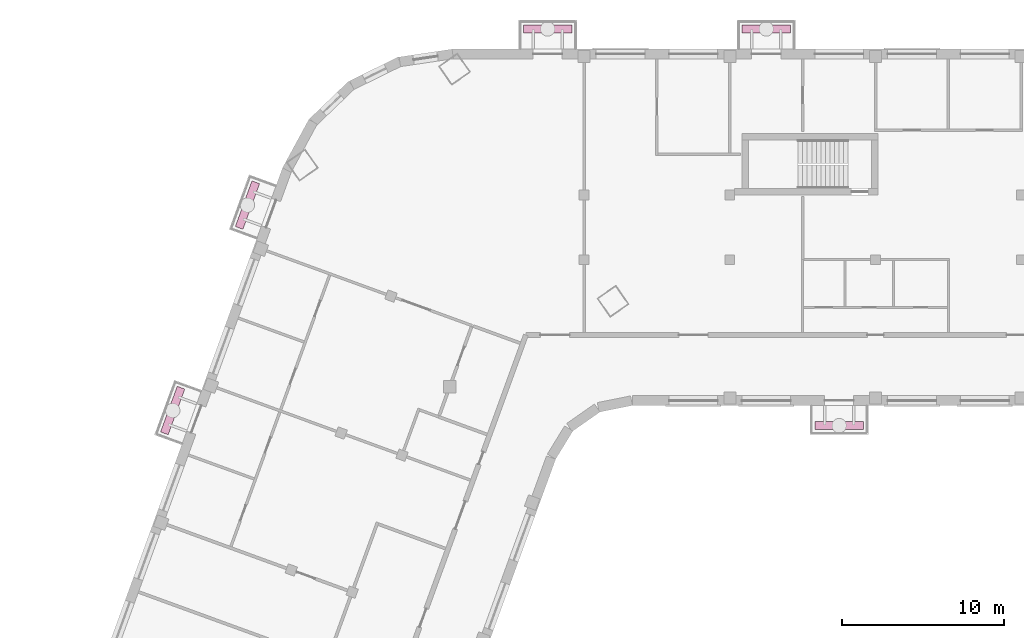
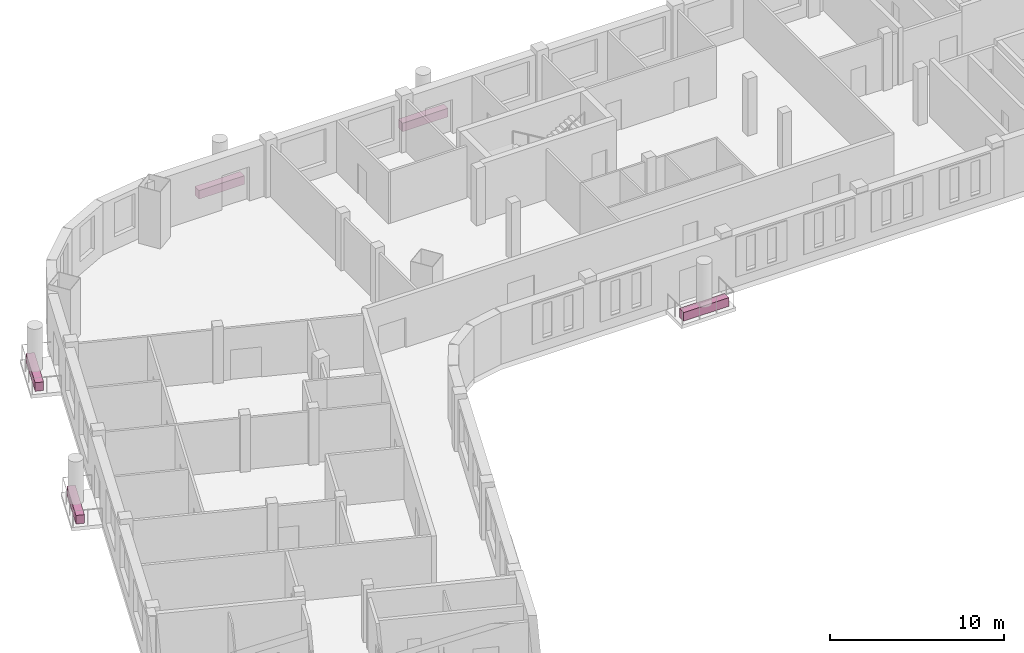
# One storey, part 9 of 10: 5 furniture elements.
"""IFC4 building model written with IfcOpenShell, lengths in metres."""

from ifc_helpers import new_model, si_unit, direction, frame, origin, origin_2d, place, context, subcontext, project, spatial, rectangle, extrude, element, save


model = new_model("IFC4")

# Units and contexts
model_context = context("Model", 3, precision=1e-05, world=origin(), true_north=direction((0.0, 1.0)))
body_context = subcontext(model_context, "Body", "Model", "MODEL_VIEW")
ifc_project = project(units=[si_unit("LENGTHUNIT", "METRE"), si_unit("AREAUNIT", "SQUARE_METRE"), si_unit("VOLUMEUNIT", "CUBIC_METRE"), si_unit("PLANEANGLEUNIT", "RADIAN"), si_unit("MASSUNIT", "GRAM", prefix="KILO")], contexts=[model_context])

# Site, building, storey
site_placement = place(None, origin())
site = spatial("IfcSite", under=ifc_project, at=site_placement, CompositionType="ELEMENT")
building_placement = place(site_placement, origin())
building = spatial("IfcBuilding", under=site, at=building_placement, Name="Skarvind Civic Tower", CompositionType="ELEMENT")
storey_placement = place(building_placement, frame((0.0, 0.0, 204.0)))
storey = spatial("IfcBuildingStorey", under=building, at=storey_placement, Name="L48", CompositionType="ELEMENT", Elevation=204.0)

# Furniture
for number, where, z_axis, x_axis, name in (
    (1, (70.0, 115.75, 0.0), (0.0, 0.0, 1.0), (-1.0, 0.0, 0.0), "TREE BALCONY PLANTER"),
    (2, (52.0, 140.25, 0.0), (0.0, 0.0, 1.0), (1.0, 0.0, 0.0), "TREE BALCONY PLANTER"),
    (3, (65.5, 140.25, 0.0), (0.0, 0.0, 1.0), (1.0, 0.0, 0.0), "TREE BALCONY PLANTER"),
    (4, (28.845458984375, 116.684814453125, 0.0), (0.0, 0.0, 1.0), (0.342020143326, 0.939692620786, 0.0), "TREE BALCONY PLANTER"),
    (5, (33.462646484375, 129.37060546875, 0.0), (0.0, 0.0, 1.0), (0.342020143326, 0.939692620786, 0.0), "TREE BALCONY PLANTER"),
):
    element("IfcFurniture", number, at=place(storey_placement, frame(where, z_axis=z_axis, x_axis=x_axis)), inside=storey, Name=name, ObjectType="PLANTER", PredefinedType="USERDEFINED", context=body_context, shape_type="SweptSolid", body=[
        extrude(rectangle(XDim=3.0, YDim=0.5, at=origin_2d()), origin(), (0.0, 0.0, 1.0), 0.60009765625),
    ])

save(model, "model.ifc")
